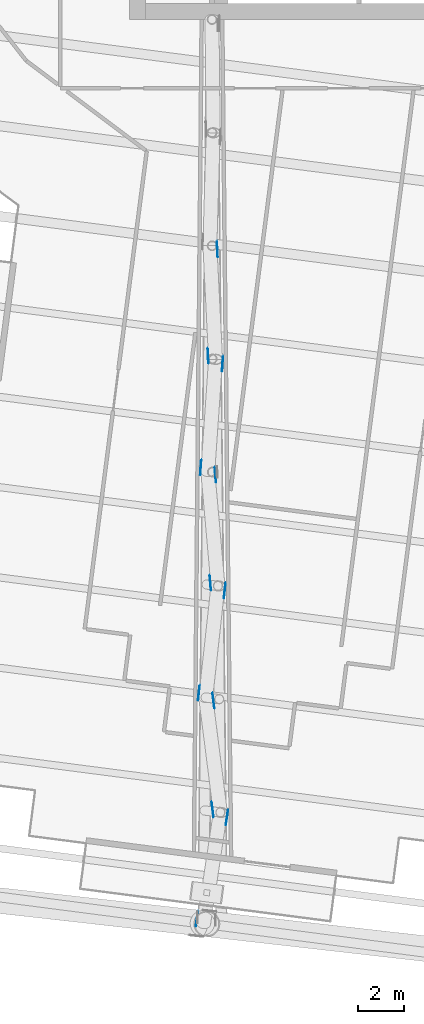
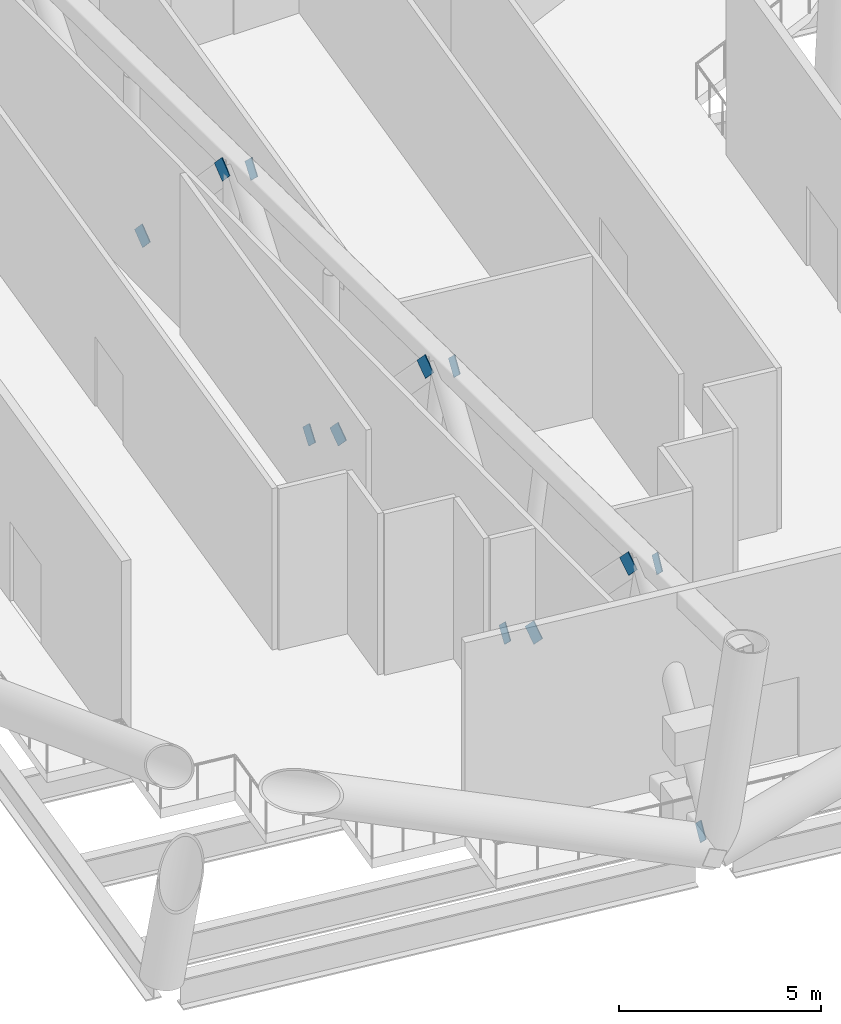
# One storey, part 15 of 36: 12 discrete accessories.
"""IFC4 building model written with IfcOpenShell, lengths in metres."""

from ifc_helpers import new_model, si_unit, direction, frame, origin, origin_2d, place, context, subcontext, project, spatial, rectangle, extrude, material, material_profile, profile_set, type_object, element, save


model = new_model("IFC4")

# Units and contexts
model_context = context("Model", 3, precision=1e-05, world=origin(), true_north=direction((0.0, 1.0)))
body_context = subcontext(model_context, "Body", "Model", "MODEL_VIEW")
ifc_project = project(units=[si_unit("LENGTHUNIT", "METRE"), si_unit("AREAUNIT", "SQUARE_METRE"), si_unit("VOLUMEUNIT", "CUBIC_METRE"), si_unit("PLANEANGLEUNIT", "RADIAN"), si_unit("MASSUNIT", "GRAM", prefix="KILO")], contexts=[model_context])

# Site, building, storey
site_placement = place(None, origin())
site = spatial("IfcSite", under=ifc_project, at=site_placement, CompositionType="ELEMENT")
building_placement = place(site_placement, origin())
building = spatial("IfcBuilding", under=site, at=building_placement, Name="Tarsis Ring Headquarters", CompositionType="ELEMENT")
storey_placement = place(building_placement, frame((0.0, 0.0, 194.39990234375)))
storey = spatial("IfcBuildingStorey", under=building, at=storey_placement, Name="L45", CompositionType="ELEMENT", Elevation=194.39990234375)

# Discrete accessories
ifc_material = material(Name="Structural steel S355", Category="steel")
ifc_material_profile = material_profile(ifc_material, rectangle(XDim=0.02490234375, YDim=0.5, at=origin_2d()), Name="PL 25x500")
ifc_profile_set = profile_set([ifc_material_profile], Name="Structural steel S355")
discrete_accessory_type = type_object("IfcDiscreteAccessoryType", Name="Gusset plate Outrigger 25", PredefinedType="BRACKET", material=ifc_profile_set)
discrete_accessory_1_placement = place(storey_placement, frame((-6.173828125, -22.825439453125, 0.254150390625), z_axis=(0.033699815573, -0.680345552078, 0.732116283249), x_axis=(0.998775474944, 0.049472726325, 0.0)))
element("IfcDiscreteAccessory", 1, at=discrete_accessory_1_placement, inside=storey, type_object=discrete_accessory_type, Name="Gusset plate GP1", PredefinedType="BRACKET", context=body_context, shape_type="SweptSolid", body=[
    extrude(rectangle(XDim=0.02490234375, YDim=0.5, at=origin_2d()), origin(), (0.0, 0.0, 1.0), 0.499755859375),
])
discrete_accessory_2_placement = place(storey_placement, frame((-6.560546875, -27.813232421875, 5.586181640625), z_axis=(-0.033676583736, 0.680364604752, -0.732099646434), x_axis=(-0.998777227945, -0.049437323334, 0.0)))
element("IfcDiscreteAccessory", 2, at=discrete_accessory_2_placement, inside=storey, type_object=discrete_accessory_type, Name="Gusset plate GP1", PredefinedType="BRACKET", context=body_context, shape_type="SweptSolid", body=[
    extrude(rectangle(XDim=0.02490234375, YDim=0.5, at=origin_2d()), origin(), (0.0, 0.0, 1.0), 0.500244140625),
])
for number, where, z_axis, x_axis, name in (
    (3, (-5.927001953125, -27.819091796875, 5.586181640625), (-0.046864291598, -0.674650531134, -0.736648083561), (0.997596034994, -0.069297553806, 0.0), "Gusset plate GP1"),
    (4, (-6.898193359375, -32.660400390625, 0.254150390625), (0.046881147938, 0.674893192195, 0.736424698864), (-0.997596034994, 0.069297553806, 0.0), "Gusset plate GP1"),
    (5, (-6.265625, -32.654296875, 0.254150390625), (0.06055313376, -0.681222754795, 0.729567595458), (0.996072640693, 0.088539790284, 0.0), "Gusset plate GP1"),
    (6, (-6.455322265625, -37.690185546875, 5.586181640625), (-0.06055313376, 0.681222754795, -0.729567595458), (-0.996072640693, -0.088539790284, 0.0), "Gusset plate GP1"),
    (7, (-5.82373046875, -37.69677734375, 5.586181640625), (-0.073713133465, -0.671717030778, -0.737131334647), (0.994032588046, -0.10908351802, 0.0), "Gusset plate GP1"),
    (8, (-6.98779296875, -42.489013671875, 0.254150390625), (0.073739664137, 0.671958793727, 0.736908299225), (-0.994032588046, 0.10908351802, 0.0), "Gusset plate GP1"),
    (9, (-6.357666015625, -42.4833984375, 0.254150390625), (0.086910539987, -0.681612998995, 0.72653305337), (0.991968759433, 0.126483122621, 0.0), "Gusset plate GP1"),
    (10, (-6.349609375, -47.567138671875, 5.586181640625), (-0.086910539987, 0.681612998995, -0.72653305337), (-0.991968759433, -0.126483122621, 0.0), "Gusset plate GP1"),
    (11, (-5.72119140625, -47.57421875, 5.586181640625), (-0.100593444567, -0.668506920451, -0.736871397341), (0.988867368999, -0.14879961871, 0.0), "Gusset plate GP1"),
):
    element("IfcDiscreteAccessory", number, at=place(storey_placement, frame(where, z_axis=z_axis, x_axis=x_axis)), inside=storey, type_object=discrete_accessory_type, Name=name, PredefinedType="BRACKET", context=body_context, shape_type="SweptSolid", body=[
        extrude(rectangle(XDim=0.02490234375, YDim=0.5, at=origin_2d()), origin(), (0.0, 0.0, 1.0), 0.5),
    ])
discrete_accessory_3_placement = place(storey_placement, frame((-7.076904296875, -52.317626953125, 0.254150390625), z_axis=(0.100560610555, 0.668776876019, 0.736630880229), x_axis=(-0.988883345185, 0.148693408108, 0.0)))
element("IfcDiscreteAccessory", 12, at=discrete_accessory_3_placement, inside=storey, type_object=discrete_accessory_type, Name="Gusset plate GP1", PredefinedType="BRACKET", context=body_context, shape_type="SweptSolid", body=[
    extrude(rectangle(XDim=0.02490234375, YDim=0.5, at=origin_2d()), origin(), (0.0, 0.0, 1.0), 0.500244140625),
])

save(model, "model.ifc")
